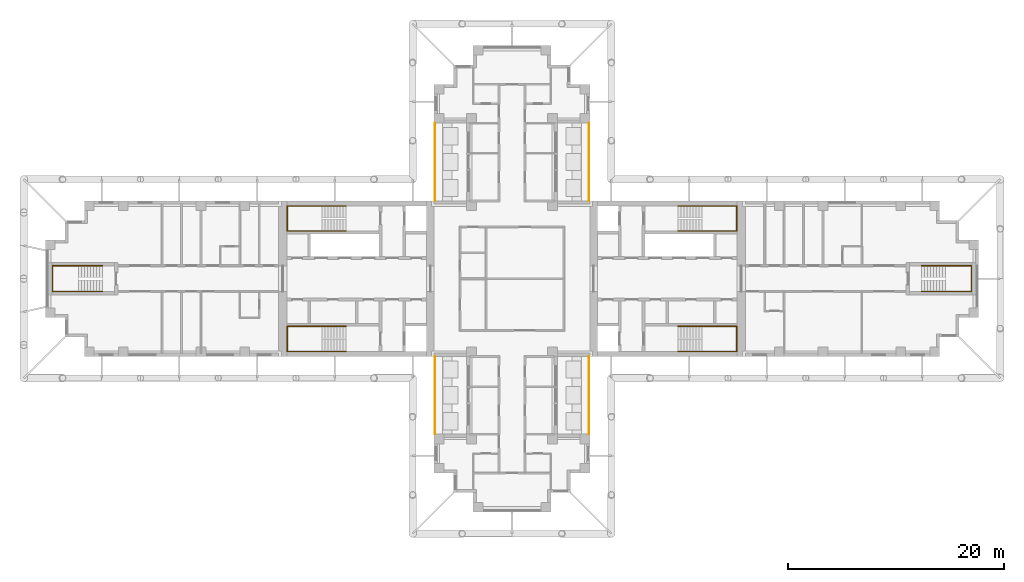
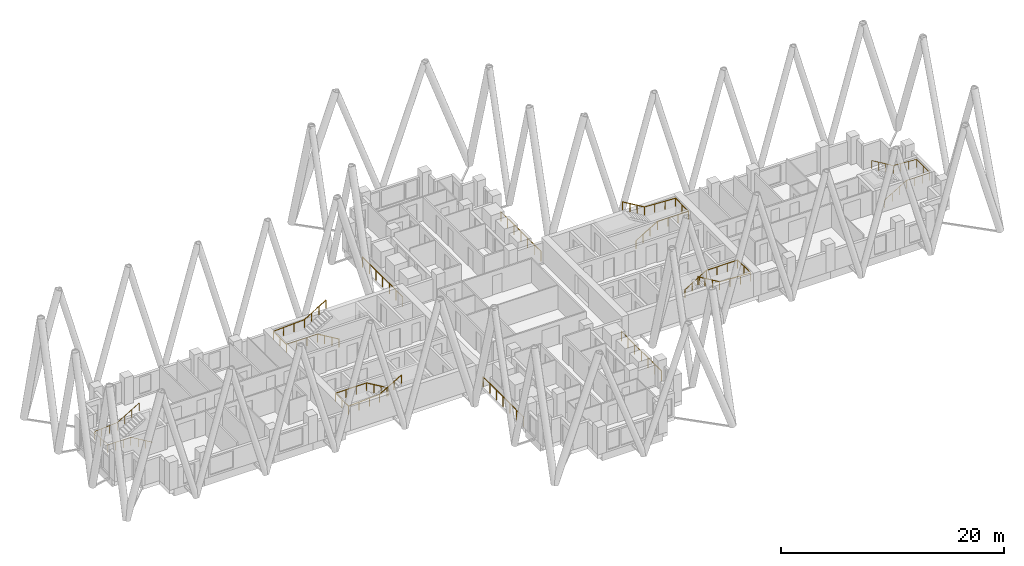
# One storey, part 12 of 13: 10 railings.
"""IFC4 building model written with IfcOpenShell, lengths in metres."""

from ifc_helpers import new_model, si_unit, direction, frame, origin, origin_2d, place, context, subcontext, project, spatial, circle, extrude, material, type_object, element, save


model = new_model("IFC4")

# Units and contexts
model_context = context("Model", 3, precision=1e-05, world=origin(), true_north=direction((0.0, 1.0)))
body_context = subcontext(model_context, "Body", "Model", "MODEL_VIEW")
ifc_project = project(units=[si_unit("LENGTHUNIT", "METRE"), si_unit("AREAUNIT", "SQUARE_METRE"), si_unit("VOLUMEUNIT", "CUBIC_METRE"), si_unit("PLANEANGLEUNIT", "RADIAN"), si_unit("MASSUNIT", "GRAM", prefix="KILO")], contexts=[model_context])

# Site, building, storey
site_placement = place(None, origin())
site = spatial("IfcSite", under=ifc_project, at=site_placement, CompositionType="ELEMENT")
building_placement = place(site_placement, origin())
building = spatial("IfcBuilding", under=site, at=building_placement, Name="Fustian Cross Tower", CompositionType="ELEMENT")
storey_placement = place(building_placement, frame((0.0, 0.0, 153.300048828125)))
storey = spatial("IfcBuildingStorey", under=building, at=storey_placement, Name="L48", CompositionType="ELEMENT", Elevation=153.300048828125)

# Railings
ifc_material_1 = material(Name="Stainless steel and glass", Category="steel")
railing_type_1 = type_object("IfcRailingType", Name="GR1 BALCONY GUARD 1100", PredefinedType="GUARDRAIL", material=ifc_material_1)
for number, where, name in (
    (1, (7.14990234375, 7.199951171875, 0.0), "Balcony guard"),
    (2, (-7.14990234375, 7.199951171875, 0.0), "Balcony guard"),
    (3, (7.14990234375, -14.39990234375, 0.0), "Balcony guard"),
    (4, (-7.14990234375, -14.39990234375, 0.0), "Balcony guard"),
):
    element("IfcRailing", number, at=place(storey_placement, frame(where)), inside=storey, type_object=railing_type_1, Name=name, PredefinedType="GUARDRAIL", context=body_context, shape_type="SweptSolid", body=[
        extrude(circle(Radius=0.02392578125, at=origin_2d()), frame((0.0, 0.0, 1.076171875), z_axis=(0.0, 1.0, 0.0), x_axis=(-1.0, 0.0, 0.0)), (0.0, 0.0, 1.0), 7.199951171875),
        extrude(circle(Radius=0.02099609375, at=origin_2d()), origin(), (0.0, 0.0, 1.0), 1.052001953125),
        extrude(circle(Radius=0.02099609375, at=origin_2d()), frame((0.0, 1.199951171875, 0.0)), (0.0, 0.0, 1.0), 1.052001953125),
        extrude(circle(Radius=0.02099609375, at=origin_2d()), frame((0.0, 2.39990234375, 0.0)), (0.0, 0.0, 1.0), 1.052001953125),
        extrude(circle(Radius=0.02099609375, at=origin_2d()), frame((0.0, 3.60009765625, 0.0)), (0.0, 0.0, 1.0), 1.052001953125),
        extrude(circle(Radius=0.02099609375, at=origin_2d()), frame((0.0, 4.800048828125, 0.0)), (0.0, 0.0, 1.0), 1.052001953125),
        extrude(circle(Radius=0.02099609375, at=origin_2d()), frame((0.0, 6.0, 0.0)), (0.0, 0.0, 1.0), 1.052001953125),
        extrude(circle(Radius=0.02099609375, at=origin_2d()), frame((0.0, 7.199951171875, 0.0)), (0.0, 0.0, 1.0), 1.052001953125),
    ])
ifc_material_2 = material(Name="Stainless steel", Category="steel")
railing_type_2 = type_object("IfcRailingType", Name="STAIR HANDRAIL", PredefinedType="HANDRAIL", material=ifc_material_2)
railing_1_placement = place(storey_placement, frame((15.35009765625, 4.39990234375, 0.16650390625)))
element("IfcRailing", 5, at=railing_1_placement, inside=storey, type_object=railing_type_2, Name="Stair ST1 handrail 1", PredefinedType="HANDRAIL", context=body_context, shape_type="SweptSolid", body=[
    extrude(circle(Radius=0.02490234375, at=origin_2d()), frame((0.0, 0.0, 0.875), z_axis=(0.859264461869, 0.0, 0.511531606619), x_axis=(0.0, 1.0, 0.0)), (0.0, 0.0, 1.0), 2.60693359375),
    extrude(circle(Radius=0.02490234375, at=origin_2d()), frame((2.239990234375, 0.0, 2.20849609375), z_axis=(1.0, 0.0, 0.0), x_axis=(0.0, 1.0, 0.0)), (0.0, 0.0, 1.0), 3.219970703125),
    extrude(circle(Radius=0.02490234375, at=origin_2d()), frame((5.4599609375, 0.0, 2.20849609375), z_axis=(0.0, 1.0, 0.0), x_axis=(-1.0, 0.0, 0.0)), (0.0, 0.0, 1.0), 2.35009765625),
    extrude(circle(Radius=0.02490234375, at=origin_2d()), frame((5.4599609375, 2.35009765625, 2.20849609375), z_axis=(-0.998665725648, 0.0, 0.051640763128), x_axis=(0.0, -1.0, 0.0)), (0.0, 0.0, 1.0), 3.224365234375),
    extrude(circle(Radius=0.02490234375, at=origin_2d()), frame((2.239990234375, 2.35009765625, 2.375), z_axis=(-0.859264461869, 0.0, 0.511531606619), x_axis=(0.0, -1.0, 0.0)), (0.0, 0.0, 1.0), 2.60693359375),
    extrude(circle(Radius=0.02001953125, at=origin_2d()), origin(), (0.0, 0.0, 1.0), 0.849853515625),
    extrude(circle(Radius=0.02001953125, at=origin_2d()), frame((0.74658203125, 0.0, 0.444580078125)), (0.0, 0.0, 1.0), 0.849853515625),
    extrude(circle(Radius=0.02001953125, at=origin_2d()), frame((1.493408203125, 0.0, 0.888916015625)), (0.0, 0.0, 1.0), 0.849853515625),
    extrude(circle(Radius=0.02001953125, at=origin_2d()), frame((2.239990234375, 0.0, 1.33349609375)), (0.0, 0.0, 1.0), 0.849853515625),
    extrude(circle(Radius=0.02001953125, at=origin_2d()), frame((3.313232421875, 0.0, 1.33349609375)), (0.0, 0.0, 1.0), 0.849853515625),
    extrude(circle(Radius=0.02001953125, at=origin_2d()), frame((4.38671875, 0.0, 1.33349609375)), (0.0, 0.0, 1.0), 0.849853515625),
    extrude(circle(Radius=0.02001953125, at=origin_2d()), frame((5.4599609375, 0.0, 1.33349609375)), (0.0, 0.0, 1.0), 0.849853515625),
    extrude(circle(Radius=0.02001953125, at=origin_2d()), frame((5.4599609375, 1.175048828125, 1.33349609375)), (0.0, 0.0, 1.0), 0.849853515625),
    extrude(circle(Radius=0.02001953125, at=origin_2d()), frame((5.4599609375, 2.35009765625, 1.33349609375)), (0.0, 0.0, 1.0), 0.849853515625),
    extrude(circle(Radius=0.02001953125, at=origin_2d()), frame((4.38671875, 2.35009765625, 1.388916015625)), (0.0, 0.0, 1.0), 0.849853515625),
    extrude(circle(Radius=0.02001953125, at=origin_2d()), frame((3.313232421875, 2.35009765625, 1.444580078125)), (0.0, 0.0, 1.0), 0.849853515625),
    extrude(circle(Radius=0.02001953125, at=origin_2d()), frame((2.239990234375, 2.35009765625, 1.5)), (0.0, 0.0, 1.0), 0.849853515625),
    extrude(circle(Radius=0.02001953125, at=origin_2d()), frame((1.493408203125, 2.35009765625, 1.944580078125)), (0.0, 0.0, 1.0), 0.849853515625),
    extrude(circle(Radius=0.02001953125, at=origin_2d()), frame((0.74658203125, 2.35009765625, 2.388916015625)), (0.0, 0.0, 1.0), 0.849853515625),
    extrude(circle(Radius=0.02001953125, at=origin_2d()), frame((0.0, 2.35009765625, 2.83349609375)), (0.0, 0.0, 1.0), 0.849853515625),
])
railing_2_placement = place(storey_placement, frame((15.35009765625, -4.39990234375, 0.16650390625)))
element("IfcRailing", 6, at=railing_2_placement, inside=storey, type_object=railing_type_2, Name="Stair ST2 handrail 1", PredefinedType="HANDRAIL", context=body_context, shape_type="SweptSolid", body=[
    extrude(circle(Radius=0.02490234375, at=origin_2d()), frame((0.0, 0.0, 0.875), z_axis=(0.859264461869, 0.0, 0.511531606619), x_axis=(0.0, 1.0, 0.0)), (0.0, 0.0, 1.0), 2.60693359375),
    extrude(circle(Radius=0.02490234375, at=origin_2d()), frame((2.239990234375, 0.0, 2.20849609375), z_axis=(1.0, 0.0, 0.0), x_axis=(0.0, 1.0, 0.0)), (0.0, 0.0, 1.0), 3.219970703125),
    extrude(circle(Radius=0.02490234375, at=origin_2d()), frame((5.4599609375, 0.0, 2.20849609375), z_axis=(0.0, -1.0, 0.0), x_axis=(1.0, 0.0, 0.0)), (0.0, 0.0, 1.0), 2.35009765625),
    extrude(circle(Radius=0.02490234375, at=origin_2d()), frame((5.4599609375, -2.35009765625, 2.20849609375), z_axis=(-0.998665725648, 0.0, 0.051640763128), x_axis=(0.0, -1.0, 0.0)), (0.0, 0.0, 1.0), 3.224365234375),
    extrude(circle(Radius=0.02490234375, at=origin_2d()), frame((2.239990234375, -2.35009765625, 2.375), z_axis=(-0.859264461869, 0.0, 0.511531606619), x_axis=(0.0, -1.0, 0.0)), (0.0, 0.0, 1.0), 2.60693359375),
    extrude(circle(Radius=0.02001953125, at=origin_2d()), origin(), (0.0, 0.0, 1.0), 0.849853515625),
    extrude(circle(Radius=0.02001953125, at=origin_2d()), frame((0.74658203125, 0.0, 0.444580078125)), (0.0, 0.0, 1.0), 0.849853515625),
    extrude(circle(Radius=0.02001953125, at=origin_2d()), frame((1.493408203125, 0.0, 0.888916015625)), (0.0, 0.0, 1.0), 0.849853515625),
    extrude(circle(Radius=0.02001953125, at=origin_2d()), frame((2.239990234375, 0.0, 1.33349609375)), (0.0, 0.0, 1.0), 0.849853515625),
    extrude(circle(Radius=0.02001953125, at=origin_2d()), frame((3.313232421875, 0.0, 1.33349609375)), (0.0, 0.0, 1.0), 0.849853515625),
    extrude(circle(Radius=0.02001953125, at=origin_2d()), frame((4.38671875, 0.0, 1.33349609375)), (0.0, 0.0, 1.0), 0.849853515625),
    extrude(circle(Radius=0.02001953125, at=origin_2d()), frame((5.4599609375, 0.0, 1.33349609375)), (0.0, 0.0, 1.0), 0.849853515625),
    extrude(circle(Radius=0.02001953125, at=origin_2d()), frame((5.4599609375, -1.175048828125, 1.33349609375)), (0.0, 0.0, 1.0), 0.849853515625),
    extrude(circle(Radius=0.02001953125, at=origin_2d()), frame((5.4599609375, -2.35009765625, 1.33349609375)), (0.0, 0.0, 1.0), 0.849853515625),
    extrude(circle(Radius=0.02001953125, at=origin_2d()), frame((4.38671875, -2.35009765625, 1.388916015625)), (0.0, 0.0, 1.0), 0.849853515625),
    extrude(circle(Radius=0.02001953125, at=origin_2d()), frame((3.313232421875, -2.35009765625, 1.444580078125)), (0.0, 0.0, 1.0), 0.849853515625),
    extrude(circle(Radius=0.02001953125, at=origin_2d()), frame((2.239990234375, -2.35009765625, 1.5)), (0.0, 0.0, 1.0), 0.849853515625),
    extrude(circle(Radius=0.02001953125, at=origin_2d()), frame((1.493408203125, -2.35009765625, 1.944580078125)), (0.0, 0.0, 1.0), 0.849853515625),
    extrude(circle(Radius=0.02001953125, at=origin_2d()), frame((0.74658203125, -2.35009765625, 2.388916015625)), (0.0, 0.0, 1.0), 0.849853515625),
    extrude(circle(Radius=0.02001953125, at=origin_2d()), frame((0.0, -2.35009765625, 2.83349609375)), (0.0, 0.0, 1.0), 0.849853515625),
])
railing_3_placement = place(storey_placement, frame((-15.35009765625, 4.39990234375, 0.16650390625)))
element("IfcRailing", 7, at=railing_3_placement, inside=storey, type_object=railing_type_2, Name="Stair ST3 handrail 1", PredefinedType="HANDRAIL", context=body_context, shape_type="SweptSolid", body=[
    extrude(circle(Radius=0.02490234375, at=origin_2d()), frame((0.0, 0.0, 0.875), z_axis=(-0.859264461869, 0.0, 0.511531606619), x_axis=(0.0, -1.0, 0.0)), (0.0, 0.0, 1.0), 2.60693359375),
    extrude(circle(Radius=0.02490234375, at=origin_2d()), frame((-2.239990234375, 0.0, 2.20849609375), z_axis=(-1.0, 0.0, 0.0), x_axis=(0.0, -1.0, 0.0)), (0.0, 0.0, 1.0), 3.219970703125),
    extrude(circle(Radius=0.02490234375, at=origin_2d()), frame((-5.4599609375, 0.0, 2.20849609375), z_axis=(0.0, 1.0, 0.0), x_axis=(-1.0, 0.0, 0.0)), (0.0, 0.0, 1.0), 2.35009765625),
    extrude(circle(Radius=0.02490234375, at=origin_2d()), frame((-5.4599609375, 2.35009765625, 2.20849609375), z_axis=(0.998665725648, 0.0, 0.051640763128), x_axis=(0.0, 1.0, 0.0)), (0.0, 0.0, 1.0), 3.224365234375),
    extrude(circle(Radius=0.02490234375, at=origin_2d()), frame((-2.239990234375, 2.35009765625, 2.375), z_axis=(0.859264461869, 0.0, 0.511531606619), x_axis=(0.0, 1.0, 0.0)), (0.0, 0.0, 1.0), 2.60693359375),
    extrude(circle(Radius=0.02001953125, at=origin_2d()), origin(), (0.0, 0.0, 1.0), 0.849853515625),
    extrude(circle(Radius=0.02001953125, at=origin_2d()), frame((-0.74658203125, 0.0, 0.444580078125)), (0.0, 0.0, 1.0), 0.849853515625),
    extrude(circle(Radius=0.02001953125, at=origin_2d()), frame((-1.493408203125, 0.0, 0.888916015625)), (0.0, 0.0, 1.0), 0.849853515625),
    extrude(circle(Radius=0.02001953125, at=origin_2d()), frame((-2.239990234375, 0.0, 1.33349609375)), (0.0, 0.0, 1.0), 0.849853515625),
    extrude(circle(Radius=0.02001953125, at=origin_2d()), frame((-3.313232421875, 0.0, 1.33349609375)), (0.0, 0.0, 1.0), 0.849853515625),
    extrude(circle(Radius=0.02001953125, at=origin_2d()), frame((-4.38671875, 0.0, 1.33349609375)), (0.0, 0.0, 1.0), 0.849853515625),
    extrude(circle(Radius=0.02001953125, at=origin_2d()), frame((-5.4599609375, 0.0, 1.33349609375)), (0.0, 0.0, 1.0), 0.849853515625),
    extrude(circle(Radius=0.02001953125, at=origin_2d()), frame((-5.4599609375, 1.175048828125, 1.33349609375)), (0.0, 0.0, 1.0), 0.849853515625),
    extrude(circle(Radius=0.02001953125, at=origin_2d()), frame((-5.4599609375, 2.35009765625, 1.33349609375)), (0.0, 0.0, 1.0), 0.849853515625),
    extrude(circle(Radius=0.02001953125, at=origin_2d()), frame((-4.38671875, 2.35009765625, 1.388916015625)), (0.0, 0.0, 1.0), 0.849853515625),
    extrude(circle(Radius=0.02001953125, at=origin_2d()), frame((-3.313232421875, 2.35009765625, 1.444580078125)), (0.0, 0.0, 1.0), 0.849853515625),
    extrude(circle(Radius=0.02001953125, at=origin_2d()), frame((-2.239990234375, 2.35009765625, 1.5)), (0.0, 0.0, 1.0), 0.849853515625),
    extrude(circle(Radius=0.02001953125, at=origin_2d()), frame((-1.493408203125, 2.35009765625, 1.944580078125)), (0.0, 0.0, 1.0), 0.849853515625),
    extrude(circle(Radius=0.02001953125, at=origin_2d()), frame((-0.74658203125, 2.35009765625, 2.388916015625)), (0.0, 0.0, 1.0), 0.849853515625),
    extrude(circle(Radius=0.02001953125, at=origin_2d()), frame((0.0, 2.35009765625, 2.83349609375)), (0.0, 0.0, 1.0), 0.849853515625),
])
railing_4_placement = place(storey_placement, frame((-15.35009765625, -4.39990234375, 0.16650390625)))
element("IfcRailing", 8, at=railing_4_placement, inside=storey, type_object=railing_type_2, Name="Stair ST4 handrail 1", PredefinedType="HANDRAIL", context=body_context, shape_type="SweptSolid", body=[
    extrude(circle(Radius=0.02490234375, at=origin_2d()), frame((0.0, 0.0, 0.875), z_axis=(-0.859264461869, 0.0, 0.511531606619), x_axis=(0.0, -1.0, 0.0)), (0.0, 0.0, 1.0), 2.60693359375),
    extrude(circle(Radius=0.02490234375, at=origin_2d()), frame((-2.239990234375, 0.0, 2.20849609375), z_axis=(-1.0, 0.0, 0.0), x_axis=(0.0, -1.0, 0.0)), (0.0, 0.0, 1.0), 3.219970703125),
    extrude(circle(Radius=0.02490234375, at=origin_2d()), frame((-5.4599609375, 0.0, 2.20849609375), z_axis=(0.0, -1.0, 0.0), x_axis=(1.0, 0.0, 0.0)), (0.0, 0.0, 1.0), 2.35009765625),
    extrude(circle(Radius=0.02490234375, at=origin_2d()), frame((-5.4599609375, -2.35009765625, 2.20849609375), z_axis=(0.998665725648, 0.0, 0.051640763128), x_axis=(0.0, 1.0, 0.0)), (0.0, 0.0, 1.0), 3.224365234375),
    extrude(circle(Radius=0.02490234375, at=origin_2d()), frame((-2.239990234375, -2.35009765625, 2.375), z_axis=(0.859264461869, 0.0, 0.511531606619), x_axis=(0.0, 1.0, 0.0)), (0.0, 0.0, 1.0), 2.60693359375),
    extrude(circle(Radius=0.02001953125, at=origin_2d()), origin(), (0.0, 0.0, 1.0), 0.849853515625),
    extrude(circle(Radius=0.02001953125, at=origin_2d()), frame((-0.74658203125, 0.0, 0.444580078125)), (0.0, 0.0, 1.0), 0.849853515625),
    extrude(circle(Radius=0.02001953125, at=origin_2d()), frame((-1.493408203125, 0.0, 0.888916015625)), (0.0, 0.0, 1.0), 0.849853515625),
    extrude(circle(Radius=0.02001953125, at=origin_2d()), frame((-2.239990234375, 0.0, 1.33349609375)), (0.0, 0.0, 1.0), 0.849853515625),
    extrude(circle(Radius=0.02001953125, at=origin_2d()), frame((-3.313232421875, 0.0, 1.33349609375)), (0.0, 0.0, 1.0), 0.849853515625),
    extrude(circle(Radius=0.02001953125, at=origin_2d()), frame((-4.38671875, 0.0, 1.33349609375)), (0.0, 0.0, 1.0), 0.849853515625),
    extrude(circle(Radius=0.02001953125, at=origin_2d()), frame((-5.4599609375, 0.0, 1.33349609375)), (0.0, 0.0, 1.0), 0.849853515625),
    extrude(circle(Radius=0.02001953125, at=origin_2d()), frame((-5.4599609375, -1.175048828125, 1.33349609375)), (0.0, 0.0, 1.0), 0.849853515625),
    extrude(circle(Radius=0.02001953125, at=origin_2d()), frame((-5.4599609375, -2.35009765625, 1.33349609375)), (0.0, 0.0, 1.0), 0.849853515625),
    extrude(circle(Radius=0.02001953125, at=origin_2d()), frame((-4.38671875, -2.35009765625, 1.388916015625)), (0.0, 0.0, 1.0), 0.849853515625),
    extrude(circle(Radius=0.02001953125, at=origin_2d()), frame((-3.313232421875, -2.35009765625, 1.444580078125)), (0.0, 0.0, 1.0), 0.849853515625),
    extrude(circle(Radius=0.02001953125, at=origin_2d()), frame((-2.239990234375, -2.35009765625, 1.5)), (0.0, 0.0, 1.0), 0.849853515625),
    extrude(circle(Radius=0.02001953125, at=origin_2d()), frame((-1.493408203125, -2.35009765625, 1.944580078125)), (0.0, 0.0, 1.0), 0.849853515625),
    extrude(circle(Radius=0.02001953125, at=origin_2d()), frame((-0.74658203125, -2.35009765625, 2.388916015625)), (0.0, 0.0, 1.0), 0.849853515625),
    extrude(circle(Radius=0.02001953125, at=origin_2d()), frame((0.0, -2.35009765625, 2.83349609375)), (0.0, 0.0, 1.0), 0.849853515625),
])
railing_5_placement = place(storey_placement, frame((37.89990234375, -1.199951171875, 0.16650390625)))
element("IfcRailing", 9, at=railing_5_placement, inside=storey, type_object=railing_type_2, Name="Stair ST8 handrail 1", PredefinedType="HANDRAIL", context=body_context, shape_type="SweptSolid", body=[
    extrude(circle(Radius=0.02490234375, at=origin_2d()), frame((0.0, 0.0, 0.875), z_axis=(0.859264461869, 0.0, 0.511531606619), x_axis=(0.0, 1.0, 0.0)), (0.0, 0.0, 1.0), 2.60693359375),
    extrude(circle(Radius=0.02490234375, at=origin_2d()), frame((2.239990234375, 0.0, 2.20849609375), z_axis=(1.0, 0.0, 0.0), x_axis=(0.0, 1.0, 0.0)), (0.0, 0.0, 1.0), 2.420166015625),
    extrude(circle(Radius=0.02490234375, at=origin_2d()), frame((4.66015625, 0.0, 2.20849609375), z_axis=(0.0, 1.0, 0.0), x_axis=(-1.0, 0.0, 0.0)), (0.0, 0.0, 1.0), 2.39990234375),
    extrude(circle(Radius=0.02490234375, at=origin_2d()), frame((4.66015625, 2.39990234375, 2.20849609375), z_axis=(-0.997641748275, 0.0, 0.068636303069), x_axis=(0.0, -1.0, 0.0)), (0.0, 0.0, 1.0), 2.42578125),
    extrude(circle(Radius=0.02490234375, at=origin_2d()), frame((2.239990234375, 2.39990234375, 2.375), z_axis=(-0.859264461869, 0.0, 0.511531606619), x_axis=(0.0, -1.0, 0.0)), (0.0, 0.0, 1.0), 2.60693359375),
    extrude(circle(Radius=0.02001953125, at=origin_2d()), origin(), (0.0, 0.0, 1.0), 0.849853515625),
    extrude(circle(Radius=0.02001953125, at=origin_2d()), frame((0.74658203125, 0.0, 0.444580078125)), (0.0, 0.0, 1.0), 0.849853515625),
    extrude(circle(Radius=0.02001953125, at=origin_2d()), frame((1.493408203125, 0.0, 0.888916015625)), (0.0, 0.0, 1.0), 0.849853515625),
    extrude(circle(Radius=0.02001953125, at=origin_2d()), frame((2.239990234375, 0.0, 1.33349609375)), (0.0, 0.0, 1.0), 0.849853515625),
    extrude(circle(Radius=0.02001953125, at=origin_2d()), frame((3.046630859375, 0.0, 1.33349609375)), (0.0, 0.0, 1.0), 0.849853515625),
    extrude(circle(Radius=0.02001953125, at=origin_2d()), frame((3.853515625, 0.0, 1.33349609375)), (0.0, 0.0, 1.0), 0.849853515625),
    extrude(circle(Radius=0.02001953125, at=origin_2d()), frame((4.66015625, 0.0, 1.33349609375)), (0.0, 0.0, 1.0), 0.849853515625),
    extrude(circle(Radius=0.02001953125, at=origin_2d()), frame((4.66015625, 1.199951171875, 1.33349609375)), (0.0, 0.0, 1.0), 0.849853515625),
    extrude(circle(Radius=0.02001953125, at=origin_2d()), frame((4.66015625, 2.39990234375, 1.33349609375)), (0.0, 0.0, 1.0), 0.849853515625),
    extrude(circle(Radius=0.02001953125, at=origin_2d()), frame((3.853515625, 2.39990234375, 1.388916015625)), (0.0, 0.0, 1.0), 0.849853515625),
    extrude(circle(Radius=0.02001953125, at=origin_2d()), frame((3.046630859375, 2.39990234375, 1.444580078125)), (0.0, 0.0, 1.0), 0.849853515625),
    extrude(circle(Radius=0.02001953125, at=origin_2d()), frame((2.239990234375, 2.39990234375, 1.5)), (0.0, 0.0, 1.0), 0.849853515625),
    extrude(circle(Radius=0.02001953125, at=origin_2d()), frame((1.493408203125, 2.39990234375, 1.944580078125)), (0.0, 0.0, 1.0), 0.849853515625),
    extrude(circle(Radius=0.02001953125, at=origin_2d()), frame((0.74658203125, 2.39990234375, 2.388916015625)), (0.0, 0.0, 1.0), 0.849853515625),
    extrude(circle(Radius=0.02001953125, at=origin_2d()), frame((0.0, 2.39990234375, 2.83349609375)), (0.0, 0.0, 1.0), 0.849853515625),
])
railing_6_placement = place(storey_placement, frame((-37.89990234375, -1.199951171875, 0.16650390625)))
element("IfcRailing", 10, at=railing_6_placement, inside=storey, type_object=railing_type_2, Name="Stair ST9 handrail 1", PredefinedType="HANDRAIL", context=body_context, shape_type="SweptSolid", body=[
    extrude(circle(Radius=0.02490234375, at=origin_2d()), frame((0.0, 0.0, 0.875), z_axis=(-0.859264461869, 0.0, 0.511531606619), x_axis=(0.0, -1.0, 0.0)), (0.0, 0.0, 1.0), 2.60693359375),
    extrude(circle(Radius=0.02490234375, at=origin_2d()), frame((-2.239990234375, 0.0, 2.20849609375), z_axis=(-1.0, 0.0, 0.0), x_axis=(0.0, -1.0, 0.0)), (0.0, 0.0, 1.0), 2.420166015625),
    extrude(circle(Radius=0.02490234375, at=origin_2d()), frame((-4.66015625, 0.0, 2.20849609375), z_axis=(0.0, 1.0, 0.0), x_axis=(-1.0, 0.0, 0.0)), (0.0, 0.0, 1.0), 2.39990234375),
    extrude(circle(Radius=0.02490234375, at=origin_2d()), frame((-4.66015625, 2.39990234375, 2.20849609375), z_axis=(0.997641748275, 0.0, 0.068636303069), x_axis=(0.0, 1.0, 0.0)), (0.0, 0.0, 1.0), 2.42578125),
    extrude(circle(Radius=0.02490234375, at=origin_2d()), frame((-2.239990234375, 2.39990234375, 2.375), z_axis=(0.859264461869, 0.0, 0.511531606619), x_axis=(0.0, 1.0, 0.0)), (0.0, 0.0, 1.0), 2.60693359375),
    extrude(circle(Radius=0.02001953125, at=origin_2d()), origin(), (0.0, 0.0, 1.0), 0.849853515625),
    extrude(circle(Radius=0.02001953125, at=origin_2d()), frame((-0.74658203125, 0.0, 0.444580078125)), (0.0, 0.0, 1.0), 0.849853515625),
    extrude(circle(Radius=0.02001953125, at=origin_2d()), frame((-1.493408203125, 0.0, 0.888916015625)), (0.0, 0.0, 1.0), 0.849853515625),
    extrude(circle(Radius=0.02001953125, at=origin_2d()), frame((-2.239990234375, 0.0, 1.33349609375)), (0.0, 0.0, 1.0), 0.849853515625),
    extrude(circle(Radius=0.02001953125, at=origin_2d()), frame((-3.046630859375, 0.0, 1.33349609375)), (0.0, 0.0, 1.0), 0.849853515625),
    extrude(circle(Radius=0.02001953125, at=origin_2d()), frame((-3.853515625, 0.0, 1.33349609375)), (0.0, 0.0, 1.0), 0.849853515625),
    extrude(circle(Radius=0.02001953125, at=origin_2d()), frame((-4.66015625, 0.0, 1.33349609375)), (0.0, 0.0, 1.0), 0.849853515625),
    extrude(circle(Radius=0.02001953125, at=origin_2d()), frame((-4.66015625, 1.199951171875, 1.33349609375)), (0.0, 0.0, 1.0), 0.849853515625),
    extrude(circle(Radius=0.02001953125, at=origin_2d()), frame((-4.66015625, 2.39990234375, 1.33349609375)), (0.0, 0.0, 1.0), 0.849853515625),
    extrude(circle(Radius=0.02001953125, at=origin_2d()), frame((-3.853515625, 2.39990234375, 1.388916015625)), (0.0, 0.0, 1.0), 0.849853515625),
    extrude(circle(Radius=0.02001953125, at=origin_2d()), frame((-3.046630859375, 2.39990234375, 1.444580078125)), (0.0, 0.0, 1.0), 0.849853515625),
    extrude(circle(Radius=0.02001953125, at=origin_2d()), frame((-2.239990234375, 2.39990234375, 1.5)), (0.0, 0.0, 1.0), 0.849853515625),
    extrude(circle(Radius=0.02001953125, at=origin_2d()), frame((-1.493408203125, 2.39990234375, 1.944580078125)), (0.0, 0.0, 1.0), 0.849853515625),
    extrude(circle(Radius=0.02001953125, at=origin_2d()), frame((-0.74658203125, 2.39990234375, 2.388916015625)), (0.0, 0.0, 1.0), 0.849853515625),
    extrude(circle(Radius=0.02001953125, at=origin_2d()), frame((0.0, 2.39990234375, 2.83349609375)), (0.0, 0.0, 1.0), 0.849853515625),
])

save(model, "model.ifc")
